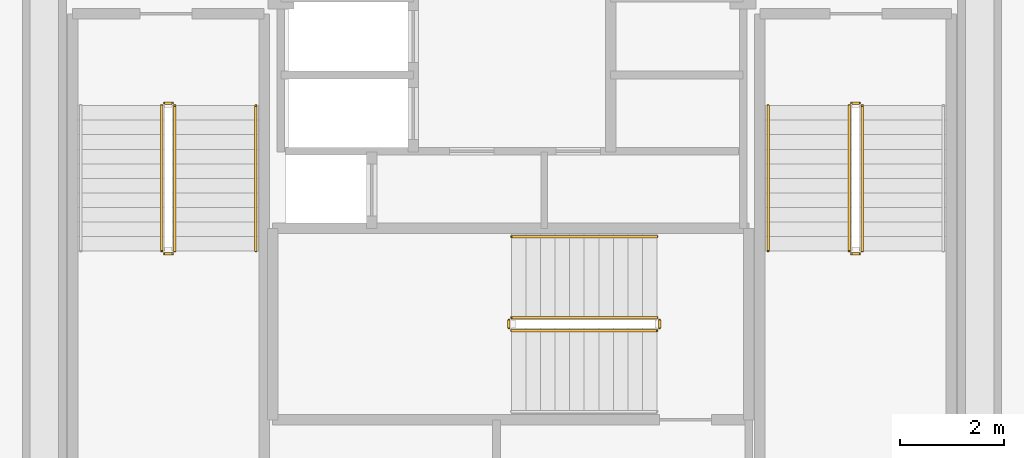
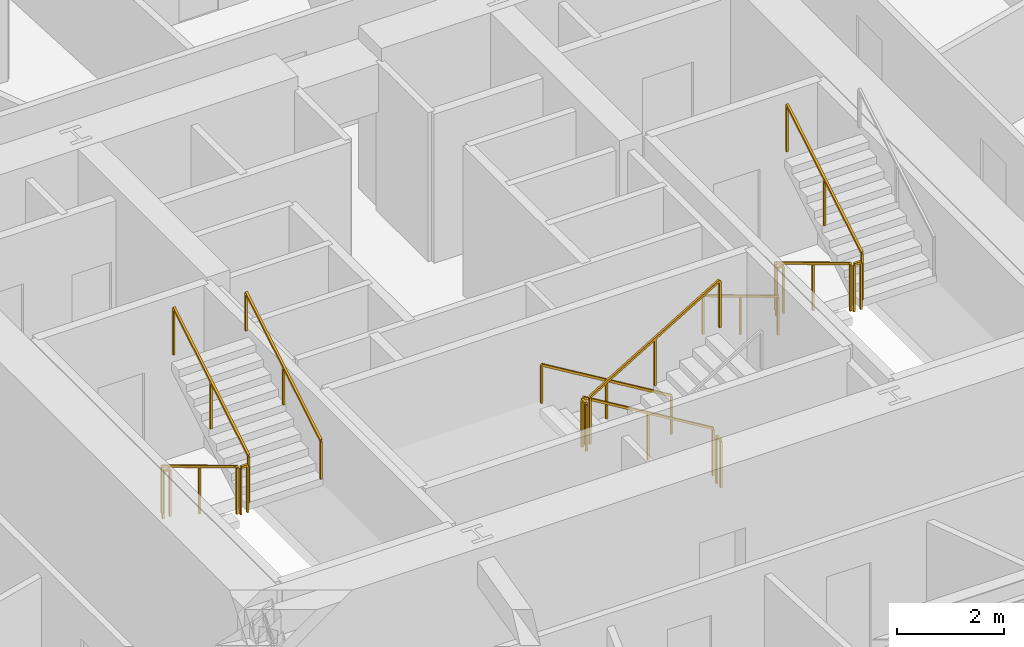
# One storey, part 9 of 10: 15 railings.
"""IFC4 building model written with IfcOpenShell, lengths in metres."""

from ifc_helpers import new_model, si_unit, direction, frame, origin, origin_2d, place, context, subcontext, project, spatial, rectangle, extrude, material, layer, layer_set, type_object, element, save


model = new_model("IFC4")

# Units and contexts
model_context = context("Model", 3, precision=1e-05, world=origin(), true_north=direction((0.0, 1.0)))
body_context = subcontext(model_context, "Body", "Model", "MODEL_VIEW")
ifc_project = project(units=[si_unit("LENGTHUNIT", "METRE"), si_unit("AREAUNIT", "SQUARE_METRE"), si_unit("VOLUMEUNIT", "CUBIC_METRE"), si_unit("PLANEANGLEUNIT", "RADIAN"), si_unit("MASSUNIT", "GRAM", prefix="KILO")], contexts=[model_context])

# Site, building, storey
site_placement = place(None, origin())
site = spatial("IfcSite", under=ifc_project, at=site_placement, CompositionType="ELEMENT")
building_placement = place(site_placement, origin())
building = spatial("IfcBuilding", under=site, at=building_placement, Name="Kilnhurst Terrace Hotel", CompositionType="ELEMENT")
storey_placement = place(building_placement, frame((0.0, 0.0, 117.300048828125)))
storey = spatial("IfcBuildingStorey", under=building, at=storey_placement, Name="L28", CompositionType="ELEMENT", Elevation=117.300048828125)

# Railings
ifc_material_1 = material(Name="Powder-Coated Steel ASTM A500 Grade B", Category="steel")
ifc_layer_1 = layer(ifc_material_1, 0.050048828125, Name="Powder-Coated Steel ASTM A500 Grade B")
ifc_layer_set_1 = layer_set([ifc_layer_1], Name="Powder-Coated Steel ASTM A500 Grade B")
railing_type_1 = type_object("IfcRailingType", Name="RLG-ST-GRD-1100", PredefinedType="GUARDRAIL", material=ifc_layer_set_1)
railing_1_placement = place(storey_placement, frame((-6.739990234375, 0.389892578125, 0.168212890625)))
element("IfcRailing", 1, at=railing_1_placement, inside=storey, type_object=railing_type_1, Name="L28 ST-1 stair guard 1", PredefinedType="GUARDRAIL", context=body_context, shape_type="SweptSolid", body=[
    extrude(rectangle(XDim=0.048095703125, YDim=0.048095703125, at=origin_2d()), frame((0.0, 0.0, 1.076171875), z_axis=(0.0, -0.857255387014, 0.514891446264), x_axis=(1.0, 0.0, 0.0)), (0.0, 0.0, 1.0), 3.26611328125),
    extrude(rectangle(XDim=0.0419921875, YDim=0.0419921875, at=origin_2d()), origin(), (0.0, 0.0, 1.0), 1.052001953125),
    extrude(rectangle(XDim=0.0419921875, YDim=0.0419921875, at=origin_2d()), frame((0.0, -1.39990234375, 0.8408203125)), (0.0, 0.0, 1.0), 1.052001953125),
    extrude(rectangle(XDim=0.0419921875, YDim=0.0419921875, at=origin_2d()), frame((0.0, -2.7998046875, 1.681640625)), (0.0, 0.0, 1.0), 1.052001953125),
])
railing_2_placement = place(storey_placement, frame((-6.68994140625, -2.4599609375, 1.849853515625)))
element("IfcRailing", 2, at=railing_2_placement, inside=storey, type_object=railing_type_1, Name="L28 ST-1 stair guard 2", PredefinedType="GUARDRAIL", context=body_context, shape_type="SweptSolid", body=[
    extrude(rectangle(XDim=0.048095703125, YDim=0.048095703125, at=origin_2d()), frame((0.0, 0.0, 1.076171875), z_axis=(1.0, 0.0, 0.0), x_axis=(0.0, 1.0, 0.0)), (0.0, 0.0, 1.0), 0.14990234375),
    extrude(rectangle(XDim=0.0419921875, YDim=0.0419921875, at=origin_2d()), origin(), (0.0, 0.0, 1.0), 1.052001953125),
    extrude(rectangle(XDim=0.0419921875, YDim=0.0419921875, at=origin_2d()), frame((0.14990234375, 0.0, 0.0)), (0.0, 0.0, 1.0), 1.052001953125),
])
railing_3_placement = place(storey_placement, frame((-6.489990234375, -2.409912109375, 2.01806640625)))
element("IfcRailing", 3, at=railing_3_placement, inside=storey, type_object=railing_type_1, Name="L28 ST-1 stair guard 3", PredefinedType="GUARDRAIL", context=body_context, shape_type="SweptSolid", body=[
    extrude(rectangle(XDim=0.048095703125, YDim=0.048095703125, at=origin_2d()), frame((0.0, 0.0, 1.076171875), z_axis=(0.0, 0.857222391501, 0.514946377315), x_axis=(-1.0, 0.0, 0.0)), (0.0, 0.0, 1.0), 3.26611328125),
    extrude(rectangle(XDim=0.0419921875, YDim=0.0419921875, at=origin_2d()), origin(), (0.0, 0.0, 1.0), 1.052001953125),
    extrude(rectangle(XDim=0.0419921875, YDim=0.0419921875, at=origin_2d()), frame((0.0, 1.39990234375, 0.8408203125)), (0.0, 0.0, 1.0), 1.052001953125),
    extrude(rectangle(XDim=0.0419921875, YDim=0.0419921875, at=origin_2d()), frame((0.0, 2.7998046875, 1.681884765625)), (0.0, 0.0, 1.0), 1.052001953125),
])
railing_4_placement = place(storey_placement, frame((-6.68994140625, 0.43994140625, 0.0)))
element("IfcRailing", 4, at=railing_4_placement, inside=storey, type_object=railing_type_1, Name="L28 ST-1 stair guard 4", PredefinedType="GUARDRAIL", context=body_context, shape_type="SweptSolid", body=[
    extrude(rectangle(XDim=0.048095703125, YDim=0.048095703125, at=origin_2d()), frame((0.0, 0.0, 1.076171875), z_axis=(1.0, 0.0, 0.0), x_axis=(0.0, 1.0, 0.0)), (0.0, 0.0, 1.0), 0.14990234375),
    extrude(rectangle(XDim=0.0419921875, YDim=0.0419921875, at=origin_2d()), origin(), (0.0, 0.0, 1.0), 1.052001953125),
    extrude(rectangle(XDim=0.0419921875, YDim=0.0419921875, at=origin_2d()), frame((0.14990234375, 0.0, 0.0)), (0.0, 0.0, 1.0), 1.052001953125),
])
railing_5_placement = place(storey_placement, frame((6.489990234375, 0.389892578125, 0.168212890625)))
element("IfcRailing", 5, at=railing_5_placement, inside=storey, type_object=railing_type_1, Name="L28 ST-2 stair guard 1", PredefinedType="GUARDRAIL", context=body_context, shape_type="SweptSolid", body=[
    extrude(rectangle(XDim=0.048095703125, YDim=0.048095703125, at=origin_2d()), frame((0.0, 0.0, 1.076171875), z_axis=(0.0, -0.857255387014, 0.514891446264), x_axis=(1.0, 0.0, 0.0)), (0.0, 0.0, 1.0), 3.26611328125),
    extrude(rectangle(XDim=0.0419921875, YDim=0.0419921875, at=origin_2d()), origin(), (0.0, 0.0, 1.0), 1.052001953125),
    extrude(rectangle(XDim=0.0419921875, YDim=0.0419921875, at=origin_2d()), frame((0.0, -1.39990234375, 0.8408203125)), (0.0, 0.0, 1.0), 1.052001953125),
    extrude(rectangle(XDim=0.0419921875, YDim=0.0419921875, at=origin_2d()), frame((0.0, -2.7998046875, 1.681640625)), (0.0, 0.0, 1.0), 1.052001953125),
])
railing_6_placement = place(storey_placement, frame((6.5400390625, -2.4599609375, 1.849853515625)))
element("IfcRailing", 6, at=railing_6_placement, inside=storey, type_object=railing_type_1, Name="L28 ST-2 stair guard 2", PredefinedType="GUARDRAIL", context=body_context, shape_type="SweptSolid", body=[
    extrude(rectangle(XDim=0.048095703125, YDim=0.048095703125, at=origin_2d()), frame((0.0, 0.0, 1.076171875), z_axis=(1.0, 0.0, 0.0), x_axis=(0.0, 1.0, 0.0)), (0.0, 0.0, 1.0), 0.14990234375),
    extrude(rectangle(XDim=0.0419921875, YDim=0.0419921875, at=origin_2d()), origin(), (0.0, 0.0, 1.0), 1.052001953125),
    extrude(rectangle(XDim=0.0419921875, YDim=0.0419921875, at=origin_2d()), frame((0.14990234375, 0.0, 0.0)), (0.0, 0.0, 1.0), 1.052001953125),
])
railing_7_placement = place(storey_placement, frame((6.739990234375, -2.409912109375, 2.01806640625)))
element("IfcRailing", 7, at=railing_7_placement, inside=storey, type_object=railing_type_1, Name="L28 ST-2 stair guard 3", PredefinedType="GUARDRAIL", context=body_context, shape_type="SweptSolid", body=[
    extrude(rectangle(XDim=0.048095703125, YDim=0.048095703125, at=origin_2d()), frame((0.0, 0.0, 1.076171875), z_axis=(0.0, 0.857222391501, 0.514946377315), x_axis=(-1.0, 0.0, 0.0)), (0.0, 0.0, 1.0), 3.26611328125),
    extrude(rectangle(XDim=0.0419921875, YDim=0.0419921875, at=origin_2d()), origin(), (0.0, 0.0, 1.0), 1.052001953125),
    extrude(rectangle(XDim=0.0419921875, YDim=0.0419921875, at=origin_2d()), frame((0.0, 1.39990234375, 0.8408203125)), (0.0, 0.0, 1.0), 1.052001953125),
    extrude(rectangle(XDim=0.0419921875, YDim=0.0419921875, at=origin_2d()), frame((0.0, 2.7998046875, 1.681884765625)), (0.0, 0.0, 1.0), 1.052001953125),
])
railing_8_placement = place(storey_placement, frame((6.5400390625, 0.43994140625, 0.0)))
element("IfcRailing", 8, at=railing_8_placement, inside=storey, type_object=railing_type_1, Name="L28 ST-2 stair guard 4", PredefinedType="GUARDRAIL", context=body_context, shape_type="SweptSolid", body=[
    extrude(rectangle(XDim=0.048095703125, YDim=0.048095703125, at=origin_2d()), frame((0.0, 0.0, 1.076171875), z_axis=(1.0, 0.0, 0.0), x_axis=(0.0, 1.0, 0.0)), (0.0, 0.0, 1.0), 0.14990234375),
    extrude(rectangle(XDim=0.0419921875, YDim=0.0419921875, at=origin_2d()), origin(), (0.0, 0.0, 1.0), 1.052001953125),
    extrude(rectangle(XDim=0.0419921875, YDim=0.0419921875, at=origin_2d()), frame((0.14990234375, 0.0, 0.0)), (0.0, 0.0, 1.0), 1.052001953125),
])
railing_9_placement = place(storey_placement, frame((2.7900390625, -3.68994140625, 0.168212890625)))
element("IfcRailing", 9, at=railing_9_placement, inside=storey, type_object=railing_type_1, Name="L28 ST-3 stair guard 1", PredefinedType="GUARDRAIL", context=body_context, shape_type="SweptSolid", body=[
    extrude(rectangle(XDim=0.048095703125, YDim=0.048095703125, at=origin_2d()), frame((0.0, 0.0, 1.076171875), z_axis=(-0.857275202839, 0.0, 0.514858452973), x_axis=(0.0, -1.0, 0.0)), (0.0, 0.0, 1.0), 3.26611328125),
    extrude(rectangle(XDim=0.0419921875, YDim=0.0419921875, at=origin_2d()), origin(), (0.0, 0.0, 1.0), 1.052001953125),
    extrude(rectangle(XDim=0.0419921875, YDim=0.0419921875, at=origin_2d()), frame((-1.39990234375, 0.0, 0.8408203125)), (0.0, 0.0, 1.0), 1.052001953125),
    extrude(rectangle(XDim=0.0419921875, YDim=0.0419921875, at=origin_2d()), frame((-2.800048828125, 0.0, 1.681640625)), (0.0, 0.0, 1.0), 1.052001953125),
])
railing_10_placement = place(storey_placement, frame((-0.06005859375, -3.739990234375, 1.849853515625)))
element("IfcRailing", 10, at=railing_10_placement, inside=storey, type_object=railing_type_1, Name="L28 ST-3 stair guard 2", PredefinedType="GUARDRAIL", context=body_context, shape_type="SweptSolid", body=[
    extrude(rectangle(XDim=0.048095703125, YDim=0.048095703125, at=origin_2d()), frame((0.0, 0.0, 1.076171875), z_axis=(0.0, -1.0, 0.0), x_axis=(1.0, 0.0, 0.0)), (0.0, 0.0, 1.0), 0.14990234375),
    extrude(rectangle(XDim=0.0419921875, YDim=0.0419921875, at=origin_2d()), origin(), (0.0, 0.0, 1.0), 1.052001953125),
    extrude(rectangle(XDim=0.0419921875, YDim=0.0419921875, at=origin_2d()), frame((0.0, -0.14990234375, 0.0)), (0.0, 0.0, 1.0), 1.052001953125),
])
railing_11_placement = place(storey_placement, frame((-0.010009765625, -3.93994140625, 2.01806640625)))
element("IfcRailing", 11, at=railing_11_placement, inside=storey, type_object=railing_type_1, Name="L28 ST-3 stair guard 3", PredefinedType="GUARDRAIL", context=body_context, shape_type="SweptSolid", body=[
    extrude(rectangle(XDim=0.048095703125, YDim=0.048095703125, at=origin_2d()), frame((0.0, 0.0, 1.076171875), z_axis=(0.857242210791, 0.0, 0.514913383045), x_axis=(0.0, 1.0, 0.0)), (0.0, 0.0, 1.0), 3.266357421875),
    extrude(rectangle(XDim=0.0419921875, YDim=0.0419921875, at=origin_2d()), origin(), (0.0, 0.0, 1.0), 1.052001953125),
    extrude(rectangle(XDim=0.0419921875, YDim=0.0419921875, at=origin_2d()), frame((1.39990234375, 0.0, 0.8408203125)), (0.0, 0.0, 1.0), 1.052001953125),
    extrude(rectangle(XDim=0.0419921875, YDim=0.0419921875, at=origin_2d()), frame((2.800048828125, 0.0, 1.681884765625)), (0.0, 0.0, 1.0), 1.052001953125),
])
railing_12_placement = place(storey_placement, frame((2.840087890625, -3.739990234375, 0.0)))
element("IfcRailing", 12, at=railing_12_placement, inside=storey, type_object=railing_type_1, Name="L28 ST-3 stair guard 4", PredefinedType="GUARDRAIL", context=body_context, shape_type="SweptSolid", body=[
    extrude(rectangle(XDim=0.048095703125, YDim=0.048095703125, at=origin_2d()), frame((0.0, 0.0, 1.076171875), z_axis=(0.0, -1.0, 0.0), x_axis=(1.0, 0.0, 0.0)), (0.0, 0.0, 1.0), 0.14990234375),
    extrude(rectangle(XDim=0.0419921875, YDim=0.0419921875, at=origin_2d()), origin(), (0.0, 0.0, 1.0), 1.052001953125),
    extrude(rectangle(XDim=0.0419921875, YDim=0.0419921875, at=origin_2d()), frame((0.0, -0.14990234375, 0.0)), (0.0, 0.0, 1.0), 1.052001953125),
])
ifc_material_2 = material(Name="Brushed Stainless Steel AISI 304", Category="steel")
ifc_layer_2 = layer(ifc_material_2, 0.048095703125, Name="Brushed Stainless Steel AISI 304")
ifc_layer_set_2 = layer_set([ifc_layer_2], Name="Brushed Stainless Steel AISI 304")
railing_type_2 = type_object("IfcRailingType", Name="RLG-ST-HRL-900", PredefinedType="HANDRAIL", material=ifc_layer_set_2)
railing_13_placement = place(storey_placement, frame((-4.929931640625, -2.409912109375, 2.01806640625)))
element("IfcRailing", 13, at=railing_13_placement, inside=storey, type_object=railing_type_2, Name="L28 ST-1 stair handrail 2", PredefinedType="HANDRAIL", context=body_context, shape_type="SweptSolid", body=[
    extrude(rectangle(XDim=0.048095703125, YDim=0.048095703125, at=origin_2d()), frame((0.0, 0.0, 0.8759765625), z_axis=(0.0, 0.857222391501, 0.514946377315), x_axis=(-1.0, 0.0, 0.0)), (0.0, 0.0, 1.0), 3.26611328125),
    extrude(rectangle(XDim=0.0419921875, YDim=0.0419921875, at=origin_2d()), origin(), (0.0, 0.0, 1.0), 0.851806640625),
    extrude(rectangle(XDim=0.0419921875, YDim=0.0419921875, at=origin_2d()), frame((0.0, 1.39990234375, 0.8408203125)), (0.0, 0.0, 1.0), 0.851806640625),
    extrude(rectangle(XDim=0.0419921875, YDim=0.0419921875, at=origin_2d()), frame((0.0, 2.7998046875, 1.681884765625)), (0.0, 0.0, 1.0), 0.851806640625),
])
railing_14_placement = place(storey_placement, frame((4.929931640625, 0.389892578125, 0.168212890625)))
element("IfcRailing", 14, at=railing_14_placement, inside=storey, type_object=railing_type_2, Name="L28 ST-2 stair handrail 1", PredefinedType="HANDRAIL", context=body_context, shape_type="SweptSolid", body=[
    extrude(rectangle(XDim=0.048095703125, YDim=0.048095703125, at=origin_2d()), frame((0.0, 0.0, 0.8759765625), z_axis=(0.0, -0.857255387014, 0.514891446264), x_axis=(1.0, 0.0, 0.0)), (0.0, 0.0, 1.0), 3.26611328125),
    extrude(rectangle(XDim=0.0419921875, YDim=0.0419921875, at=origin_2d()), origin(), (0.0, 0.0, 1.0), 0.851806640625),
    extrude(rectangle(XDim=0.0419921875, YDim=0.0419921875, at=origin_2d()), frame((0.0, -1.39990234375, 0.8408203125)), (0.0, 0.0, 1.0), 0.851806640625),
    extrude(rectangle(XDim=0.0419921875, YDim=0.0419921875, at=origin_2d()), frame((0.0, -2.7998046875, 1.681640625)), (0.0, 0.0, 1.0), 0.851806640625),
])
railing_15_placement = place(storey_placement, frame((2.7900390625, -2.1298828125, 0.168212890625)))
element("IfcRailing", 15, at=railing_15_placement, inside=storey, type_object=railing_type_2, Name="L28 ST-3 stair handrail 1", PredefinedType="HANDRAIL", context=body_context, shape_type="SweptSolid", body=[
    extrude(rectangle(XDim=0.048095703125, YDim=0.048095703125, at=origin_2d()), frame((0.0, 0.0, 0.8759765625), z_axis=(-0.857275202839, 0.0, 0.514858452973), x_axis=(0.0, -1.0, 0.0)), (0.0, 0.0, 1.0), 3.26611328125),
    extrude(rectangle(XDim=0.0419921875, YDim=0.0419921875, at=origin_2d()), origin(), (0.0, 0.0, 1.0), 0.851806640625),
    extrude(rectangle(XDim=0.0419921875, YDim=0.0419921875, at=origin_2d()), frame((-1.39990234375, 0.0, 0.8408203125)), (0.0, 0.0, 1.0), 0.851806640625),
    extrude(rectangle(XDim=0.0419921875, YDim=0.0419921875, at=origin_2d()), frame((-2.800048828125, 0.0, 1.681640625)), (0.0, 0.0, 1.0), 0.851806640625),
])

save(model, "model.ifc")
